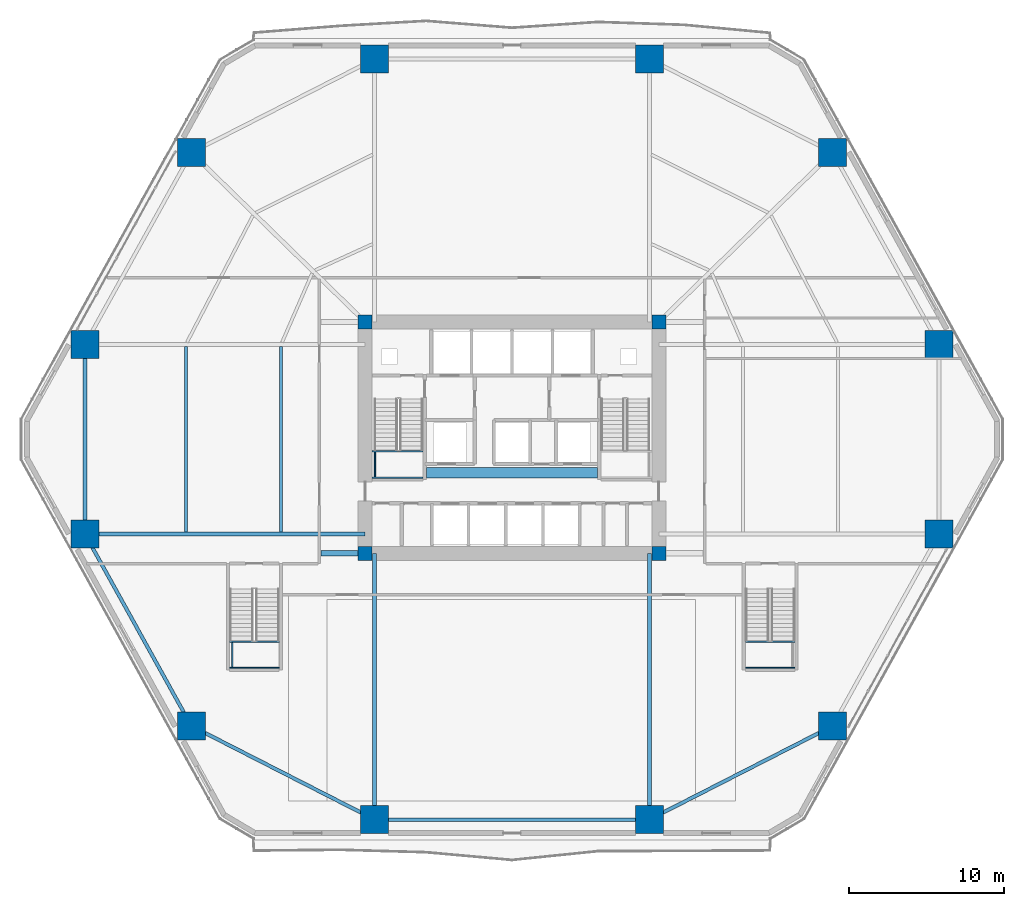
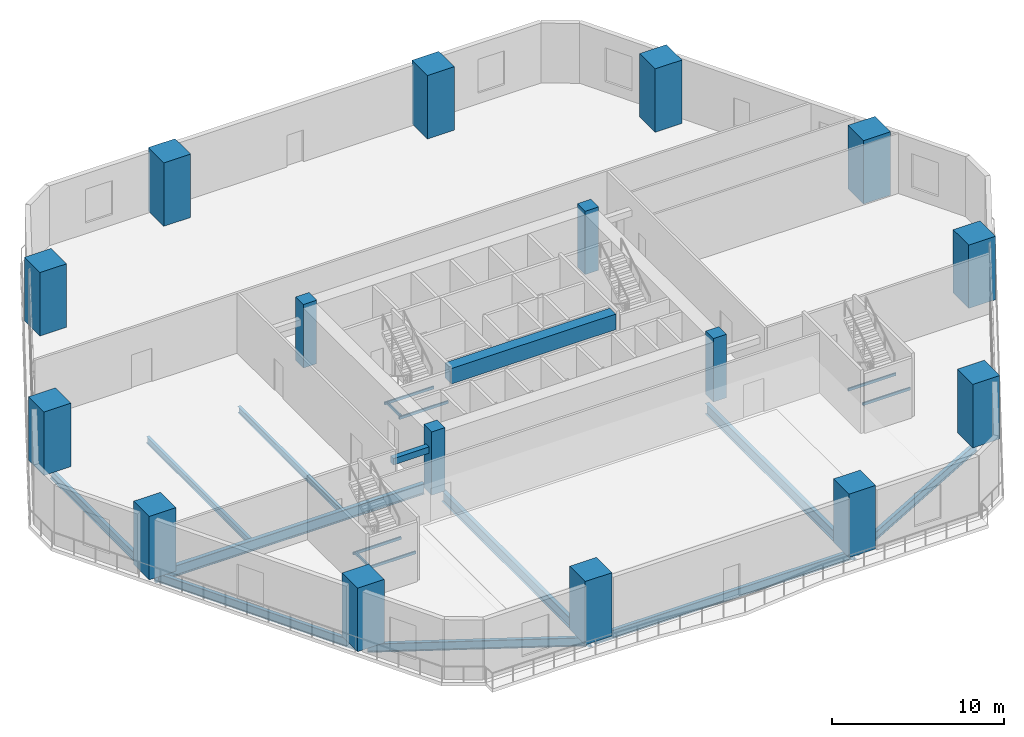
# One storey, part 1 of 18: 20 beams, 16 columns.
"""IFC4 building model written with IfcOpenShell, lengths in metres."""

from ifc_helpers import new_model, si_unit, direction, frame, origin, origin_2d, place, context, subcontext, project, spatial, rectangle, hollow_rectangle, i_section, extrude, material, material_profile, profile_set, type_object, element, save


model = new_model("IFC4")

# Units and contexts
model_context = context("Model", 3, precision=1e-05, world=origin(), true_north=direction((0.0, 1.0)))
body_context = subcontext(model_context, "Body", "Model", "MODEL_VIEW")
ifc_project = project(units=[si_unit("LENGTHUNIT", "METRE"), si_unit("AREAUNIT", "SQUARE_METRE"), si_unit("VOLUMEUNIT", "CUBIC_METRE"), si_unit("PLANEANGLEUNIT", "RADIAN"), si_unit("MASSUNIT", "GRAM", prefix="KILO")], contexts=[model_context])

# Site, building, storey
site_placement = place(None, origin())
site = spatial("IfcSite", under=ifc_project, at=site_placement, CompositionType="ELEMENT")
building_placement = place(site_placement, origin())
building = spatial("IfcBuilding", under=site, at=building_placement, Name="Cinnabar Lancet Tower", CompositionType="ELEMENT")
storey_placement = place(building_placement, frame((0.0, 0.0, 10.5)))
storey = spatial("IfcBuildingStorey", under=building, at=storey_placement, Name="L02", CompositionType="ELEMENT", Elevation=10.5)

# Columns
ifc_material_1 = material(Name="Concrete C80/95", Category="concrete")
ifc_material_profile_1 = material_profile(ifc_material_1, rectangle(XDim=0.89990234375, YDim=0.89990234375, at=origin_2d()), Name="RC-COL 900x900")
ifc_profile_set_1 = profile_set([ifc_material_profile_1], Name="Concrete C80/95")
column_type_1 = type_object("IfcColumnType", Name="STR-COL-CORE-900", PredefinedType="COLUMN", material=ifc_profile_set_1)
for number, where, z_axis, x_axis, name in (
    (1, (22.949951171875, 18.449951171875, 0.0), (0.0, 0.0, 1.0), (1.0, 0.0, 0.0), "L02 Core Corner Column SW"),
    (2, (41.85009765625, 18.449951171875, 0.0), (0.0, 0.0, 1.0), (1.0, 0.0, 0.0), "L02 Core Corner Column SE"),
    (3, (41.85009765625, 33.35009765625, 0.0), (0.0, 0.0, 1.0), (1.0, 0.0, 0.0), "L02 Core Corner Column NE"),
    (4, (22.949951171875, 33.35009765625, 0.0), (0.0, 0.0, 1.0), (1.0, 0.0, 0.0), "L02 Core Corner Column NW"),
):
    element("IfcColumn", number, at=place(storey_placement, frame(where, z_axis=z_axis, x_axis=x_axis)), inside=storey, type_object=column_type_1, Name=name, PredefinedType="COLUMN", context=body_context, shape_type="SweptSolid", body=[
        extrude(rectangle(XDim=0.89990234375, YDim=0.89990234375, at=origin_2d()), origin(), (0.0, 0.0, 1.0), 4.5),
    ])
ifc_material_2 = material(Name="Concrete C80/95", Category="concrete")
ifc_material_profile_2 = material_profile(ifc_material_2, rectangle(XDim=1.800048828125, YDim=1.800048828125, at=origin_2d()), Name="RC-MEGA 1800x1800")
ifc_profile_set_2 = profile_set([ifc_material_profile_2], Name="Concrete C80/95")
column_type_2 = type_object("IfcColumnType", Name="STR-COL-MEGA-1800", PredefinedType="COLUMN", material=ifc_profile_set_2)
for number, where, z_axis, x_axis, name in (
    (5, (23.554931640625, 1.31689453125, 0.0), (0.0, 0.0, 1.0), (1.0, 0.0, 0.0), "L02 Y-Pilotis Mega-Column 1"),
    (6, (41.2451171875, 1.31689453125, 0.0), (0.0, 0.0, 1.0), (1.0, 0.0, 0.0), "L02 Y-Pilotis Mega-Column 2"),
    (7, (53.04296875, 7.343994140625, 0.0), (0.0, 0.0, 1.0), (1.0, 0.0, 0.0), "L02 Y-Pilotis Mega-Column 3"),
    (8, (59.89111328125, 19.69189453125, 0.0), (0.0, 0.0, 1.0), (1.0, 0.0, 0.0), "L02 Y-Pilotis Mega-Column 4"),
    (9, (59.89111328125, 31.907958984375, 0.0), (0.0, 0.0, 1.0), (1.0, 0.0, 0.0), "L02 Y-Pilotis Mega-Column 5"),
    (10, (53.04296875, 44.256103515625, 0.0), (0.0, 0.0, 1.0), (1.0, 0.0, 0.0), "L02 Y-Pilotis Mega-Column 6"),
    (11, (41.2451171875, 50.282958984375, 0.0), (0.0, 0.0, 1.0), (1.0, 0.0, 0.0), "L02 Y-Pilotis Mega-Column 7"),
    (12, (23.554931640625, 50.282958984375, 0.0), (0.0, 0.0, 1.0), (1.0, 0.0, 0.0), "L02 Y-Pilotis Mega-Column 8"),
    (13, (11.757080078125, 44.256103515625, 0.0), (0.0, 0.0, 1.0), (1.0, 0.0, 0.0), "L02 Y-Pilotis Mega-Column 9"),
    (14, (4.908935546875, 31.907958984375, 0.0), (0.0, 0.0, 1.0), (1.0, 0.0, 0.0), "L02 Y-Pilotis Mega-Column 10"),
    (15, (4.908935546875, 19.69189453125, 0.0), (0.0, 0.0, 1.0), (1.0, 0.0, 0.0), "L02 Y-Pilotis Mega-Column 11"),
    (16, (11.757080078125, 7.343994140625, 0.0), (0.0, 0.0, 1.0), (1.0, 0.0, 0.0), "L02 Y-Pilotis Mega-Column 12"),
):
    element("IfcColumn", number, at=place(storey_placement, frame(where, z_axis=z_axis, x_axis=x_axis)), inside=storey, type_object=column_type_2, Name=name, PredefinedType="COLUMN", context=body_context, shape_type="SweptSolid", body=[
        extrude(rectangle(XDim=1.800048828125, YDim=1.800048828125, at=origin_2d()), origin(), (0.0, 0.0, 1.0), 4.5),
    ])

# Beams
ifc_material_3 = material(Name="Concrete C70/85", Category="concrete")
ifc_material_profile_3 = material_profile(ifc_material_3, rectangle(XDim=0.699951171875, YDim=1.10009765625, at=origin_2d()), Name="RC-CB 700x1100")
ifc_profile_set_3 = profile_set([ifc_material_profile_3], Name="Concrete C70/85")
beam_type_1 = type_object("IfcBeamType", Name="STR-BM-CB-1100", PredefinedType="BEAM", material=ifc_profile_set_3)
beam_1_placement = place(storey_placement, frame((26.8798828125, 23.64990234375, 3.699951171875), z_axis=(1.0, 0.0, 0.0), x_axis=(0.0, 1.0, 0.0)))
element("IfcBeam", 17, at=beam_1_placement, inside=storey, type_object=beam_type_1, Name="L02 Core Coupling Beam", PredefinedType="BEAM", context=body_context, shape_type="SweptSolid", body=[
    extrude(rectangle(XDim=0.699951171875, YDim=1.10009765625, at=origin_2d()), origin(), (0.0, 0.0, 1.0), 11.0400390625),
])
ifc_material_4 = material(Name="Structural steel S355", Category="steel")
ifc_material_profile_4 = material_profile(ifc_material_4, i_section(OverallWidth=0.1904296875, OverallDepth=0.45703125, WebThickness=0.009033203125, FlangeThickness=0.014404296875, FilletRadius=0.01025390625, at=origin_2d()), Name="UKB 457x191x74")
ifc_profile_set_4 = profile_set([ifc_material_profile_4], Name="Structural steel S355")
beam_type_2 = type_object("IfcBeamType", Name="STR-BM-JST-457", PredefinedType="JOIST", material=ifc_profile_set_4)
for number, where, z_axis, x_axis, name in (
    (18, (11.404052734375, 31.77490234375, -0.47900390625), (0.0, -1.0, 0.0), (1.0, 0.0, 0.0), "L02 Secondary Floor Joist 11"),
    (19, (17.5380859375, 31.77490234375, -0.47900390625), (0.0, -1.0, 0.0), (1.0, 0.0, 0.0), "L02 Secondary Floor Joist 12"),
):
    element("IfcBeam", number, at=place(storey_placement, frame(where, z_axis=z_axis, x_axis=x_axis)), inside=storey, type_object=beam_type_2, Name=name, PredefinedType="JOIST", context=body_context, shape_type="SweptSolid", body=[
        extrude(i_section(OverallWidth=0.1904296875, OverallDepth=0.45703125, WebThickness=0.009033203125, FlangeThickness=0.014404296875, FilletRadius=0.01025390625, at=origin_2d()), origin(), (0.0, 0.0, 1.0), 11.949951171875),
    ])
ifc_material_5 = material(Name="Structural steel S355", Category="steel")
ifc_material_profile_5 = material_profile(ifc_material_5, hollow_rectangle(XDim=0.10009765625, YDim=0.199951171875, WallThickness=0.008056640625, InnerFilletRadius=0.00390625, OuterFilletRadius=0.011962890625, at=origin_2d()), Name="RHS 200x100x8")
ifc_profile_set_5 = profile_set([ifc_material_profile_5], Name="Structural steel S355")
beam_type_3 = type_object("IfcBeamType", Name="STR-BM-LND-203", PredefinedType="BEAM", material=ifc_profile_set_5)
for number, where, z_axis, x_axis, name in (
    (20, (23.39990234375, 23.330078125, 1.949951171875), (1.0, 0.0, 0.0), (0.0, 1.0, 0.0), "L02 ST-1-L02 Landing Support Beam S"),
    (21, (23.39990234375, 25.02001953125, 1.949951171875), (1.0, 0.0, 0.0), (0.0, 1.0, 0.0), "L02 ST-1-L02 Landing Support Beam N"),
):
    element("IfcBeam", number, at=place(storey_placement, frame(where, z_axis=z_axis, x_axis=x_axis)), inside=storey, type_object=beam_type_3, Name=name, PredefinedType="BEAM", context=body_context, shape_type="SweptSolid", body=[
        extrude(hollow_rectangle(XDim=0.10009765625, YDim=0.199951171875, WallThickness=0.008056640625, InnerFilletRadius=0.00390625, OuterFilletRadius=0.011962890625, at=origin_2d()), origin(), (0.0, 0.0, 1.0), 3.280029296875),
    ])
beam_2_placement = place(storey_placement, frame((23.580078125, 23.3798828125, 1.949951171875), z_axis=(0.0, 1.0, 0.0), x_axis=(-1.0, 0.0, 0.0)))
element("IfcBeam", 22, at=beam_2_placement, inside=storey, type_object=beam_type_3, Name="L02 ST-1-L02 Landing Side Trimmer Beam", PredefinedType="BEAM", context=body_context, shape_type="SweptSolid", body=[
    extrude(hollow_rectangle(XDim=0.10009765625, YDim=0.199951171875, WallThickness=0.008056640625, InnerFilletRadius=0.00390625, OuterFilletRadius=0.011962890625, at=origin_2d()), origin(), (0.0, 0.0, 1.0), 1.590087890625),
])
for number, where, z_axis, x_axis, name in (
    (23, (14.219970703125, 11.080078125, 1.949951171875), (1.0, 0.0, 0.0), (0.0, 1.0, 0.0), "L02 ST-3-L02 Landing Support Beam S"),
    (24, (14.219970703125, 12.77001953125, 1.949951171875), (1.0, 0.0, 0.0), (0.0, 1.0, 0.0), "L02 ST-3-L02 Landing Support Beam N"),
):
    element("IfcBeam", number, at=place(storey_placement, frame(where, z_axis=z_axis, x_axis=x_axis)), inside=storey, type_object=beam_type_3, Name=name, PredefinedType="BEAM", context=body_context, shape_type="SweptSolid", body=[
        extrude(hollow_rectangle(XDim=0.10009765625, YDim=0.199951171875, WallThickness=0.008056640625, InnerFilletRadius=0.00390625, OuterFilletRadius=0.011962890625, at=origin_2d()), origin(), (0.0, 0.0, 1.0), 3.199951171875),
    ])
beam_3_placement = place(storey_placement, frame((14.3798828125, 11.1298828125, 1.949951171875), z_axis=(0.0, 1.0, 0.0), x_axis=(-1.0, 0.0, 0.0)))
element("IfcBeam", 25, at=beam_3_placement, inside=storey, type_object=beam_type_3, Name="L02 ST-3-L02 Landing Side Trimmer Beam", PredefinedType="BEAM", context=body_context, shape_type="SweptSolid", body=[
    extrude(hollow_rectangle(XDim=0.10009765625, YDim=0.199951171875, WallThickness=0.008056640625, InnerFilletRadius=0.00390625, OuterFilletRadius=0.011962890625, at=origin_2d()), origin(), (0.0, 0.0, 1.0), 1.590087890625),
])
for number, where, z_axis, x_axis, name in (
    (26, (47.419921875, 11.080078125, 1.949951171875), (1.0, 0.0, 0.0), (0.0, 1.0, 0.0), "L02 ST-4-L02 Landing Support Beam S"),
    (27, (47.419921875, 12.77001953125, 1.949951171875), (1.0, 0.0, 0.0), (0.0, 1.0, 0.0), "L02 ST-4-L02 Landing Support Beam N"),
):
    element("IfcBeam", number, at=place(storey_placement, frame(where, z_axis=z_axis, x_axis=x_axis)), inside=storey, type_object=beam_type_3, Name=name, PredefinedType="BEAM", context=body_context, shape_type="SweptSolid", body=[
        extrude(hollow_rectangle(XDim=0.10009765625, YDim=0.199951171875, WallThickness=0.008056640625, InnerFilletRadius=0.00390625, OuterFilletRadius=0.011962890625, at=origin_2d()), origin(), (0.0, 0.0, 1.0), 3.2001953125),
    ])
ifc_material_6 = material(Name="Concrete C45/55", Category="concrete")
ifc_material_profile_6 = material_profile(ifc_material_6, rectangle(XDim=0.35009765625, YDim=0.449951171875, at=origin_2d()), Name="RC-LNT 350x450")
ifc_profile_set_6 = profile_set([ifc_material_profile_6], Name="Concrete C45/55")
beam_type_4 = type_object("IfcBeamType", Name="STR-BM-LNT-450", PredefinedType="LINTEL", material=ifc_profile_set_6)
beam_4_placement = place(storey_placement, frame((20.10009765625, 18.449951171875, 3.050048828125), z_axis=(1.0, 0.0, 0.0), x_axis=(0.0, 1.0, 0.0)))
element("IfcBeam", 28, at=beam_4_placement, inside=storey, type_object=beam_type_4, Name="L02 Podium Gallery Arch Lintel SW", PredefinedType="LINTEL", context=body_context, shape_type="SweptSolid", body=[
    extrude(rectangle(XDim=0.35009765625, YDim=0.449951171875, at=origin_2d()), origin(), (0.0, 0.0, 1.0), 2.39990234375),
])
ifc_material_7 = material(Name="Structural steel S355", Category="steel")
ifc_material_profile_7 = material_profile(ifc_material_7, i_section(OverallWidth=0.228271484375, OverallDepth=0.607666015625, WebThickness=0.010986328125, FlangeThickness=0.017333984375, FilletRadius=0.0126953125, at=origin_2d()), Name="UKB 610x229x113")
ifc_profile_set_7 = profile_set([ifc_material_profile_7], Name="Structural steel S355")
beam_type_5 = type_object("IfcBeamType", Name="STR-BM-SPN-610", PredefinedType="SPANDREL", material=ifc_profile_set_7)
beam_5_placement = place(storey_placement, frame((23.804931640625, 1.31689453125, -0.553955078125), z_axis=(1.0, 0.0, 0.0), x_axis=(0.0, 1.0, 0.0)))
element("IfcBeam", 29, at=beam_5_placement, inside=storey, type_object=beam_type_5, Name="L02 Perimeter Spandrel 1", PredefinedType="SPANDREL", context=body_context, shape_type="SweptSolid", body=[
    extrude(i_section(OverallWidth=0.228271484375, OverallDepth=0.607666015625, WebThickness=0.010986328125, FlangeThickness=0.017333984375, FilletRadius=0.0126953125, at=origin_2d()), origin(), (0.0, 0.0, 1.0), 17.190185546875),
])
beam_6_placement = place(storey_placement, frame((41.468017578125, 1.430908203125, -0.553955078125), z_axis=(0.890532798964, 0.454919041116, 0.0), x_axis=(-0.454919041116, 0.890532798964, 0.0)))
element("IfcBeam", 30, at=beam_6_placement, inside=storey, type_object=beam_type_5, Name="L02 Perimeter Spandrel 2", PredefinedType="SPANDREL", context=body_context, shape_type="SweptSolid", body=[
    extrude(i_section(OverallWidth=0.228271484375, OverallDepth=0.607666015625, WebThickness=0.010986328125, FlangeThickness=0.017333984375, FilletRadius=0.0126953125, at=origin_2d()), origin(), (0.0, 0.0, 1.0), 12.74755859375),
])
beam_7_placement = place(storey_placement, frame((4.908935546875, 31.657958984375, -0.553955078125), z_axis=(0.0, -1.0, 0.0), x_axis=(1.0, 0.0, 0.0)))
element("IfcBeam", 31, at=beam_7_placement, inside=storey, type_object=beam_type_5, Name="L02 Perimeter Spandrel 10", PredefinedType="SPANDREL", context=body_context, shape_type="SweptSolid", body=[
    extrude(i_section(OverallWidth=0.228271484375, OverallDepth=0.607666015625, WebThickness=0.010986328125, FlangeThickness=0.017333984375, FilletRadius=0.0126953125, at=origin_2d()), origin(), (0.0, 0.0, 1.0), 11.716064453125),
])
beam_8_placement = place(storey_placement, frame((5.030029296875, 19.472900390625, -0.553955078125), z_axis=(0.485044660428, -0.874489380947, 0.0), x_axis=(0.874489380947, 0.485044660428, 0.0)))
element("IfcBeam", 32, at=beam_8_placement, inside=storey, type_object=beam_type_5, Name="L02 Perimeter Spandrel 11", PredefinedType="SPANDREL", context=body_context, shape_type="SweptSolid", body=[
    extrude(i_section(OverallWidth=0.228271484375, OverallDepth=0.607666015625, WebThickness=0.010986328125, FlangeThickness=0.017333984375, FilletRadius=0.0126953125, at=origin_2d()), origin(), (0.0, 0.0, 1.0), 13.619384765625),
])
beam_9_placement = place(storey_placement, frame((11.97998046875, 7.22998046875, -0.553955078125), z_axis=(0.890532798964, -0.454919041116, 0.0), x_axis=(0.454919041116, 0.890532798964, 0.0)))
element("IfcBeam", 33, at=beam_9_placement, inside=storey, type_object=beam_type_5, Name="L02 Perimeter Spandrel 12", PredefinedType="SPANDREL", context=body_context, shape_type="SweptSolid", body=[
    extrude(i_section(OverallWidth=0.228271484375, OverallDepth=0.607666015625, WebThickness=0.010986328125, FlangeThickness=0.017333984375, FilletRadius=0.0126953125, at=origin_2d()), origin(), (0.0, 0.0, 1.0), 12.74755859375),
])
ifc_material_8 = material(Name="Structural steel S355", Category="steel")
ifc_material_profile_8 = material_profile(ifc_material_8, i_section(OverallWidth=0.2666015625, OverallDepth=0.76220703125, WebThickness=0.014404296875, FlangeThickness=0.021484375, FilletRadius=0.0166015625, at=origin_2d()), Name="UKB 762x267x173")
ifc_profile_set_8 = profile_set([ifc_material_profile_8], Name="Structural steel S355")
beam_type_6 = type_object("IfcBeamType", Name="STR-BM-UKB762-173", PredefinedType="BEAM", material=ifc_profile_set_8)
for number, where, z_axis, x_axis, name in (
    (34, (23.554931640625, 1.31689453125, -0.631103515625), (0.0, 1.0, 0.0), (-1.0, 0.0, 0.0), "L02 Primary Floor Girder 1"),
    (35, (41.2451171875, 1.31689453125, -0.631103515625), (0.0, 1.0, 0.0), (-1.0, 0.0, 0.0), "L02 Primary Floor Girder 2"),
):
    element("IfcBeam", number, at=place(storey_placement, frame(where, z_axis=z_axis, x_axis=x_axis)), inside=storey, type_object=beam_type_6, Name=name, PredefinedType="BEAM", context=body_context, shape_type="SweptSolid", body=[
        extrude(i_section(OverallWidth=0.2666015625, OverallDepth=0.76220703125, WebThickness=0.014404296875, FlangeThickness=0.021484375, FilletRadius=0.0166015625, at=origin_2d()), origin(), (0.0, 0.0, 1.0), 17.133056640625),
    ])
beam_10_placement = place(storey_placement, frame((4.908935546875, 19.69189453125, -0.631103515625), z_axis=(1.0, 0.0, 0.0), x_axis=(0.0, 1.0, 0.0)))
element("IfcBeam", 36, at=beam_10_placement, inside=storey, type_object=beam_type_6, Name="L02 Primary Floor Girder 11", PredefinedType="BEAM", context=body_context, shape_type="SweptSolid", body=[
    extrude(i_section(OverallWidth=0.2666015625, OverallDepth=0.76220703125, WebThickness=0.014404296875, FlangeThickness=0.021484375, FilletRadius=0.0166015625, at=origin_2d()), origin(), (0.0, 0.0, 1.0), 18.041015625),
])

save(model, "model.ifc")
